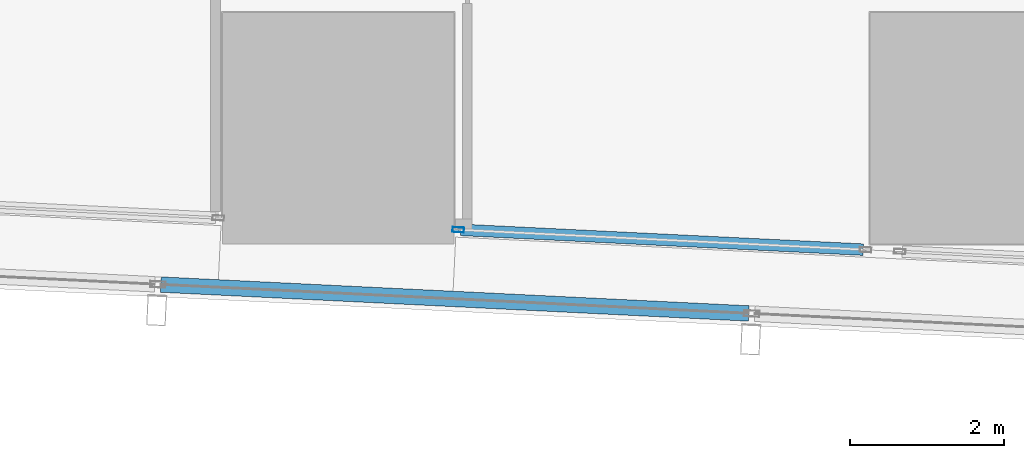
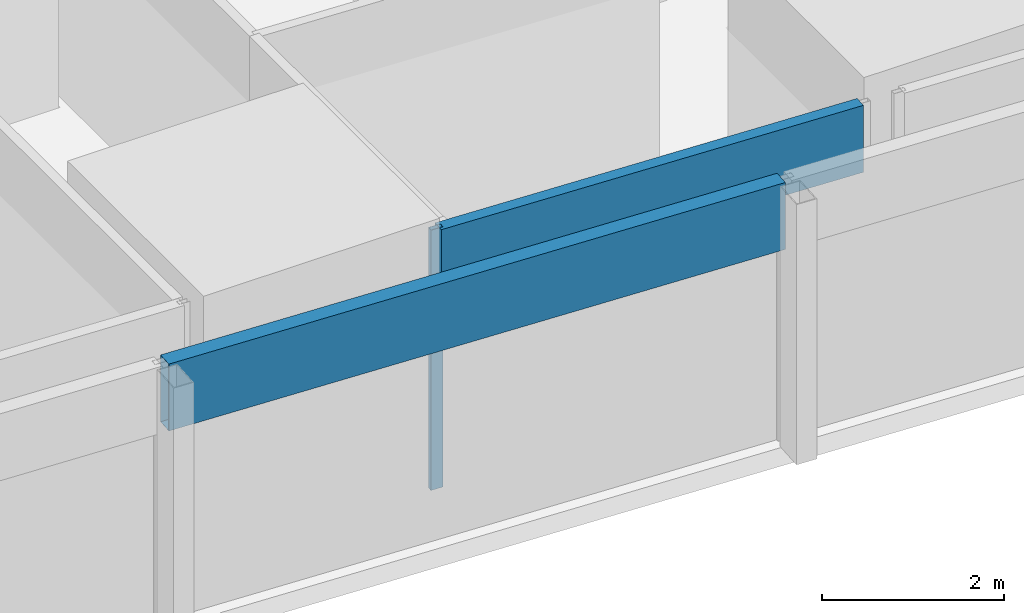
# One storey, part 3 of 45: 3 members, 2 elements without a shape of their own.
"""IFC4 building model written with IfcOpenShell, lengths in metres."""

from ifc_helpers import new_model, si_unit, direction, frame, origin, origin_2d, place, context, subcontext, project, spatial, hollow_rectangle, extrude, material, material_profile, profile_set, type_object, element, aggregate, save


model = new_model("IFC4")

# Units and contexts
model_context = context("Model", 3, precision=1e-05, world=origin(), true_north=direction((0.0, 1.0)))
body_context = subcontext(model_context, "Body", "Model", "MODEL_VIEW")
ifc_project = project(units=[si_unit("LENGTHUNIT", "METRE"), si_unit("AREAUNIT", "SQUARE_METRE"), si_unit("VOLUMEUNIT", "CUBIC_METRE"), si_unit("PLANEANGLEUNIT", "RADIAN"), si_unit("MASSUNIT", "GRAM", prefix="KILO")], contexts=[model_context])

# Site, building, storey
site_placement = place(None, origin())
site = spatial("IfcSite", under=ifc_project, at=site_placement, CompositionType="ELEMENT")
building_placement = place(site_placement, origin())
building = spatial("IfcBuilding", under=site, at=building_placement, Name="Rekha Terrace Tower", CompositionType="ELEMENT")
storey_placement = place(building_placement, frame((0.0, 0.0, 77.89990234375)))
storey = spatial("IfcBuildingStorey", under=building, at=storey_placement, Name="L19", CompositionType="ELEMENT", Elevation=77.89990234375)

# Curtain wall, members
ifc_material_1 = material(Name="Aluminium framing", Category="aluminium")
curtain_wall_type_1 = type_object("IfcCurtainWallType", Name="CW1 double skin inner glazing", PredefinedType="USERDEFINED", material=ifc_material_1)
curtain_wall_1_placement = place(storey_placement, origin())
curtain_wall_1 = element("IfcCurtainWall", 1, at=curtain_wall_1_placement, inside=storey, type_object=curtain_wall_type_1, Name="CW1 double skin inner glazing", ObjectType="DOUBLE SKIN INNER GLAZING", PredefinedType="USERDEFINED")
ifc_material_2 = material(Name="Aluminium mullion section", Category="aluminium")
ifc_material_profile_1 = material_profile(ifc_material_2, hollow_rectangle(XDim=0.06494140625, YDim=0.14990234375, WallThickness=0.00390625, at=origin_2d()), Name="AL RHS 65x150")
ifc_profile_set_1 = profile_set([ifc_material_profile_1], Name="Aluminium mullion section")
member_type_1 = type_object("IfcMemberType", Name="CW1 mullion RHS 65 x 150", PredefinedType="MULLION", material=ifc_profile_set_1)
member_1_placement = place(storey_placement, frame((18.357177734375, 7.083984375, 0.0), z_axis=(0.0, 0.0, 1.0), x_axis=(0.049051717746, 0.998796239974, 0.0)))
member_1 = element("IfcMember", 2, at=member_1_placement, type_object=member_type_1, Name="CW1 mullion 1", PredefinedType="MULLION", context=body_context, shape_type="SweptSolid", body=[
    extrude(hollow_rectangle(XDim=0.06494140625, YDim=0.14990234375, WallThickness=0.00390625, at=origin_2d()), origin(), (0.0, 0.0, 1.0), 3.5),
])
ifc_material_3 = material(Name="Insulated aluminium spandrel box", Category="aluminium")
ifc_material_profile_2 = material_profile(ifc_material_3, hollow_rectangle(XDim=0.14990234375, YDim=0.89990234375, WallThickness=0.0029296875, at=origin_2d()), Name="AL SPANDREL BOX 150x900")
ifc_profile_set_2 = profile_set([ifc_material_profile_2], Name="Insulated aluminium spandrel box")
member_type_2 = type_object("IfcMemberType", Name="CW1 spandrel transom 150 x 900", PredefinedType="USERDEFINED", material=ifc_profile_set_2)
member_2_placement = place(storey_placement, frame((18.3896484375, 7.082275390625, 3.050048828125), z_axis=(0.998796665805, -0.04904304616, 0.0), x_axis=(0.04904304616, 0.998796665805, 0.0)))
member_2 = element("IfcMember", 3, at=member_2_placement, type_object=member_type_2, Name="CW1 spandrel transom 1", ObjectType="TRANSOM", PredefinedType="USERDEFINED", context=body_context, shape_type="SweptSolid", body=[
    extrude(hollow_rectangle(XDim=0.14990234375, YDim=0.89990234375, WallThickness=0.0029296875, at=origin_2d()), origin(), (0.0, 0.0, 1.0), 5.22705078125),
])
aggregate(curtain_wall_1, [member_1, member_2])

# Curtain wall, member
curtain_wall_type_2 = type_object("IfcCurtainWallType", Name="CW2 double skin outer glazing", PredefinedType="USERDEFINED", material=ifc_material_1)
curtain_wall_2_placement = place(storey_placement, origin())
curtain_wall_2 = element("IfcCurtainWall", 4, at=curtain_wall_2_placement, inside=storey, type_object=curtain_wall_type_2, Name="CW2 double skin outer glazing", ObjectType="DOUBLE SKIN OUTER GLAZING", PredefinedType="USERDEFINED")
ifc_material_profile_3 = material_profile(ifc_material_3, hollow_rectangle(XDim=0.199951171875, YDim=0.89990234375, WallThickness=0.0029296875, at=origin_2d()), Name="AL SPANDREL BOX 200x900")
ifc_profile_set_3 = profile_set([ifc_material_profile_3], Name="Insulated aluminium spandrel box")
member_type_3 = type_object("IfcMemberType", Name="CW2 spandrel transom 200 x 900", PredefinedType="USERDEFINED", material=ifc_profile_set_3)
member_3_placement = place(storey_placement, frame((14.499755859375, 6.372314453125, 3.050048828125), z_axis=(0.998796511558, -0.049046187417, 0.0), x_axis=(0.049046187417, 0.998796511558, 0.0)))
member_3 = element("IfcMember", 5, at=member_3_placement, type_object=member_type_3, Name="CW2 spandrel transom 2", ObjectType="TRANSOM", PredefinedType="USERDEFINED", context=body_context, shape_type="SweptSolid", body=[
    extrude(hollow_rectangle(XDim=0.199951171875, YDim=0.89990234375, WallThickness=0.0029296875, at=origin_2d()), origin(), (0.0, 0.0, 1.0), 7.635986328125),
])
aggregate(curtain_wall_2, [member_3])

save(model, "model.ifc")
